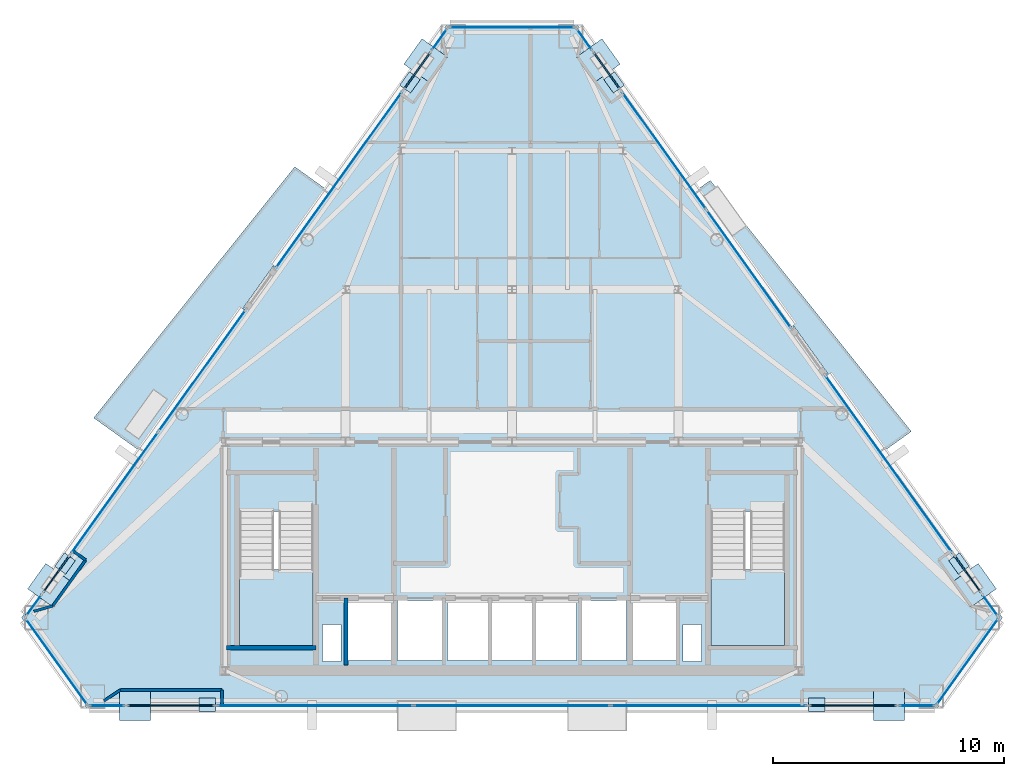
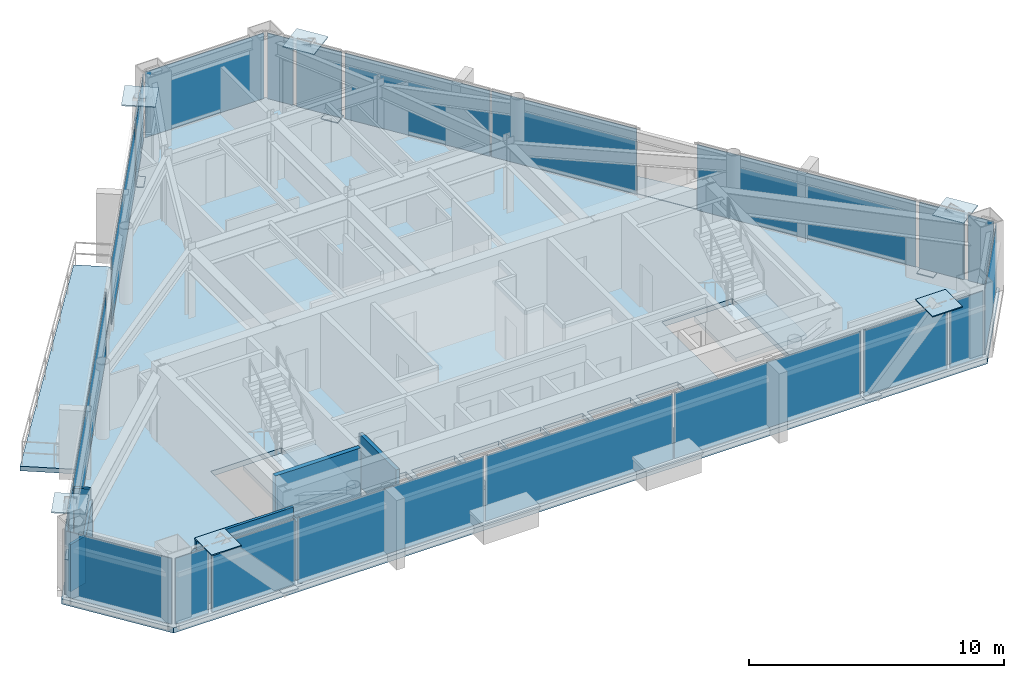
# One storey, part 6 of 11: 36 plates, 8 walls, 5 slabs, 22 elements without a shape of their own.
"""IFC4 building model written with IfcOpenShell, lengths in metres."""

from ifc_helpers import new_model, si_unit, direction, frame, frame_2d, origin, origin_2d, place, context, subcontext, project, spatial, polyline, rectangle, outline, extrude, source, transform, mapped, material, layer, layer_set, type_object, type_shapes, element, aggregate, save


model = new_model("IFC4")

# Units and contexts
model_context = context("Model", 3, precision=1e-05, world=origin(), true_north=direction((0.0, 1.0)))
body_context = subcontext(model_context, "Body", "Model", "MODEL_VIEW")
ifc_project = project(units=[si_unit("LENGTHUNIT", "METRE"), si_unit("AREAUNIT", "SQUARE_METRE"), si_unit("VOLUMEUNIT", "CUBIC_METRE"), si_unit("PLANEANGLEUNIT", "RADIAN"), si_unit("MASSUNIT", "GRAM", prefix="KILO")], contexts=[model_context])

# Site, building, storey
site_placement = place(None, origin())
site = spatial("IfcSite", under=ifc_project, at=site_placement, CompositionType="ELEMENT")
building_placement = place(site_placement, origin())
building = spatial("IfcBuilding", under=site, at=building_placement, Name="Talgorran Terracotta Tower", CompositionType="ELEMENT")
storey_placement = place(building_placement, frame((0.0, 0.0, 240.60009765625)))
storey = spatial("IfcBuildingStorey", under=building, at=storey_placement, Name="L63", CompositionType="ELEMENT", Elevation=240.60009765625)

# Plates
ifc_material_1 = material(Name="Steel Grade 350 (350L0)", Category="steel")
ifc_layer_1 = layer(ifc_material_1, 0.031982421875, Name="PL_CAP_MN07")
ifc_layer_set_1 = layer_set([ifc_layer_1], Name="Steel Grade 350 (350L0)")
plate_type_1 = type_object("IfcPlateType", Name="PL_CAP_MN07", PredefinedType="USERDEFINED", material=ifc_layer_set_1)
for number, where, z_axis, x_axis, name in (
    (1, (-13.19189453125, -15.56787109375, -0.005859375), (0.0, 0.0, 1.0), (-1.0, 0.0, 0.0), "L63 Diagonal Frame End Cap SWF Bot"),
    (2, (13.19189453125, -15.56787109375, -0.005859375), (0.0, 0.0, 1.0), (1.0, 0.0, 0.0), "L63 Diagonal Frame End Cap SEF Bot"),
    (3, (19.33935546875, -9.455078125, -0.005859375), (0.0, 0.0, 1.0), (0.582690479669, -0.812694164433, 0.0), "L63 Diagonal Frame End Cap NEL Bot"),
    (4, (4.414794921875, 11.361572265625, -0.005859375), (0.0, 0.0, 1.0), (-0.582690479669, 0.812694164433, 0.0), "L63 Diagonal Frame End Cap NEU Bot"),
    (5, (-4.414794921875, 11.361572265625, -0.005859375), (0.0, 0.0, 1.0), (0.582690479669, 0.812694164433, 0.0), "L63 Diagonal Frame End Cap NWU Bot"),
    (6, (-19.33935546875, -9.455078125, -0.005859375), (0.0, 0.0, 1.0), (-0.582690479669, -0.812694164433, 0.0), "L63 Diagonal Frame End Cap NWL Bot"),
):
    element("IfcPlate", number, at=place(storey_placement, frame(where, z_axis=z_axis, x_axis=x_axis)), inside=storey, type_object=plate_type_1, Name=name, ObjectType="CAP PLATE", PredefinedType="USERDEFINED", context=body_context, shape_type="SweptSolid", body=[
        extrude(rectangle(XDim=0.719970703125, YDim=0.580078125, at=origin_2d()), origin(), (0.0, 0.0, 1.0), 0.031982421875),
    ])
ifc_layer_2 = layer(ifc_material_1, 0.050048828125, Name="PL_NODE_MN03")
ifc_layer_set_2 = layer_set([ifc_layer_2], Name="Steel Grade 350 (350L0)")
plate_type_2 = type_object("IfcPlateType", Name="PL_NODE_MN03", PredefinedType="USERDEFINED", material=ifc_layer_set_2)
for number, where, z_axis, x_axis, name in (
    (7, (-16.306640625, -15.56787109375, 3.2451171875), (0.0, 0.0, 1.0), (-1.0, 0.0, 0.0), "L63 Diagonal Frame End Cap SWF Top"),
    (8, (16.306640625, -15.56787109375, 3.2451171875), (0.0, 0.0, 1.0), (1.0, 0.0, 0.0), "L63 Diagonal Frame End Cap SEF Top"),
    (9, (20.01611328125, -10.39892578125, 3.2451171875), (0.0, 0.0, 1.0), (0.582690479669, -0.812694164433, 0.0), "L63 Diagonal Frame End Cap NEL Top"),
    (10, (3.73828125, 12.305419921875, 3.2451171875), (0.0, 0.0, 1.0), (-0.582690479669, 0.812694164433, 0.0), "L63 Diagonal Frame End Cap NEU Top"),
    (11, (-3.73828125, 12.305419921875, 3.2451171875), (0.0, 0.0, 1.0), (0.582690479669, 0.812694164433, 0.0), "L63 Diagonal Frame End Cap NWU Top"),
    (12, (-20.01611328125, -10.39892578125, 3.2451171875), (0.0, 0.0, 1.0), (-0.582690479669, -0.812694164433, 0.0), "L63 Diagonal Frame End Cap NWL Top"),
):
    element("IfcPlate", number, at=place(storey_placement, frame(where, z_axis=z_axis, x_axis=x_axis)), inside=storey, type_object=plate_type_2, Name=name, ObjectType="NODE PLATE", PredefinedType="USERDEFINED", context=body_context, shape_type="SweptSolid", body=[
        extrude(rectangle(XDim=1.35009765625, YDim=1.35009765625, at=origin_2d()), origin(), (0.0, 0.0, 1.0), 0.050048828125),
    ])

# Slabs
ifc_material_2 = material(Name="Concrete C40/50", Category="concrete")
ifc_layer_3 = layer(ifc_material_2, 0.219970703125, Name="SL_BALCONY_220")
ifc_layer_set_3 = layer_set([ifc_layer_3], Name="Concrete C40/50")
slab_type_1 = type_object("IfcSlabType", Name="SL_BALCONY_220", PredefinedType="FLOOR", material=ifc_layer_set_3)
slab_1_placement = place(storey_placement, frame((0.0, 0.0, -0.22021484375)))
element("IfcSlab", 13, at=slab_1_placement, inside=storey, type_object=slab_type_1, Name="L63 Outdoor Wave Balcony BAL-NE", PredefinedType="FLOOR", context=body_context, shape_type="SweptSolid", body=[
    extrude(outline(polyline([(7.97998046875, 6.689697265625), (16.077880859375, -4.60546875), (17.27587890625, -3.74658203125), (8.576171875, 7.1171875), (7.97998046875, 6.689697265625)])), origin(), (0.0, 0.0, 1.0), 0.22021484375),
])
slab_2_placement = place(storey_placement, frame((0.0, 0.0, -0.22021484375)))
element("IfcSlab", 14, at=slab_2_placement, inside=storey, type_object=slab_type_1, Name="L63 Outdoor Wave Balcony BAL-NW", PredefinedType="FLOOR", context=body_context, shape_type="SweptSolid", body=[
    extrude(outline(polyline([(-16.077880859375, -4.60546875), (-7.97998046875, 6.689697265625), (-9.398681640625, 7.706787109375), (-18.098388671875, -3.15673828125), (-16.077880859375, -4.60546875)])), origin(), (0.0, 0.0, 1.0), 0.22021484375),
])

# Stair, slab
stair_type = type_object("IfcStairType", Name="ST_FIRE_SCISSOR", PredefinedType="HALF_TURN_STAIR", material=ifc_material_2)
stair_1_placement = place(storey_placement, origin())
stair_1 = element("IfcStair", 15, at=stair_1_placement, inside=storey, type_object=stair_type, Name="L63 West Protected Fire Stair ST-01", PredefinedType="HALF_TURN_STAIR")
ifc_layer_4 = layer(ifc_material_2, 0.199951171875, Name="SL_LANDING_200")
ifc_layer_set_4 = layer_set([ifc_layer_4], Name="Concrete C40/50")
slab_type_2 = type_object("IfcSlabType", Name="SL_LANDING_200", PredefinedType="LANDING", material=ifc_layer_set_4)
slab_3_placement = place(storey_placement, frame((0.0, 0.0, 1.599853515625)))
slab_3 = element("IfcSlab", 16, at=slab_3_placement, type_object=slab_type_2, Name="ST-01 landing 1", PredefinedType="LANDING", context=body_context, shape_type="SweptSolid", body=[
    extrude(outline(polyline([(-11.800048828125, -9.719970703125), (-11.800048828125, -13.0), (-8.60009765625, -13.0), (-8.60009765625, -9.719970703125), (-11.800048828125, -9.719970703125)])), origin(), (0.0, 0.0, 1.0), 0.199951171875),
])
aggregate(stair_1, [slab_3])

stair_2_placement = place(storey_placement, origin())
stair_2 = element("IfcStair", 17, at=stair_2_placement, inside=storey, type_object=stair_type, Name="L63 East Protected Fire Stair ST-02", PredefinedType="HALF_TURN_STAIR")
slab_4_placement = place(storey_placement, frame((0.0, 0.0, 1.599853515625)))
slab_4 = element("IfcSlab", 18, at=slab_4_placement, type_object=slab_type_2, Name="ST-02 landing 1", PredefinedType="LANDING", context=body_context, shape_type="SweptSolid", body=[
    extrude(outline(polyline([(8.60009765625, -9.719970703125), (8.60009765625, -13.0), (11.800048828125, -13.0), (11.800048828125, -9.719970703125), (8.60009765625, -9.719970703125)])), origin(), (0.0, 0.0, 1.0), 0.199951171875),
])
aggregate(stair_2, [slab_4])

# Slab
ifc_layer_5 = layer(ifc_material_2, 0.2548828125, Name="SL_TOWER_235")
ifc_layer_set_5 = layer_set([ifc_layer_5], Name="Concrete C40/50")
slab_type_3 = type_object("IfcSlabType", Name="SL_TOWER_235", PredefinedType="FLOOR", material=ifc_layer_set_5)
slab_5_placement = place(storey_placement, frame((0.0, 0.0, -0.255126953125)))
element("IfcSlab", 19, at=slab_5_placement, inside=storey, type_object=slab_type_3, Name="Storey L63 Structural Floor Slab", PredefinedType="FLOOR", context=body_context, shape_type="SweptSolid", body=[
    extrude(outline(polyline([(-21.21875, -11.802001953125), (-18.404296875, -15.727783203125), (18.404296875, -15.727783203125), (21.21875, -11.802001953125), (2.814453125, 13.86865234375), (-2.814453125, 13.86865234375), (-21.21875, -11.802001953125)]), holes=[polyline([(-11.800048828125, -7.199951171875), (-11.800048828125, -13.0), (-8.60009765625, -13.0), (-8.60009765625, -7.199951171875), (-11.800048828125, -7.199951171875)]), polyline([(8.60009765625, -7.199951171875), (8.60009765625, -13.0), (11.800048828125, -13.0), (11.800048828125, -7.199951171875), (8.60009765625, -7.199951171875)]), polyline([(-7.10009765625, -13.64990234375), (-5.199951171875, -13.64990234375), (-5.199951171875, -11.050048828125), (-7.10009765625, -11.050048828125), (-7.10009765625, -13.64990234375)]), polyline([(5.199951171875, -13.64990234375), (7.10009765625, -13.64990234375), (7.10009765625, -11.050048828125), (5.199951171875, -11.050048828125), (5.199951171875, -13.64990234375)]), polyline([(3.0, -13.64990234375), (4.949951171875, -13.64990234375), (4.949951171875, -11.050048828125), (3.0, -11.050048828125), (3.0, -13.64990234375)]), polyline([(-4.949951171875, -13.64990234375), (-3.0, -13.64990234375), (-3.0, -11.050048828125), (-4.949951171875, -11.050048828125), (-4.949951171875, -13.64990234375)]), polyline([(-2.800048828125, -13.64990234375), (-1.0, -13.64990234375), (-1.0, -11.050048828125), (-2.800048828125, -11.050048828125), (-2.800048828125, -13.64990234375)]), polyline([(-0.89990234375, -13.64990234375), (0.89990234375, -13.64990234375), (0.89990234375, -11.050048828125), (-0.89990234375, -11.050048828125), (-0.89990234375, -13.64990234375)]), polyline([(1.0, -13.64990234375), (2.800048828125, -13.64990234375), (2.800048828125, -11.050048828125), (1.0, -11.050048828125), (1.0, -13.64990234375)]), polyline([(-8.199951171875, -13.699951171875), (-7.39990234375, -13.699951171875), (-7.39990234375, -12.10009765625), (-8.199951171875, -12.10009765625), (-8.199951171875, -13.699951171875)]), polyline([(7.39990234375, -13.699951171875), (8.199951171875, -13.699951171875), (8.199951171875, -12.10009765625), (7.39990234375, -12.10009765625), (7.39990234375, -13.699951171875)])]), origin(), (0.0, 0.0, 1.0), 0.255126953125),
])

# Curtain wall, plate
ifc_material_3 = material(Name="High-Wind Unitised Glazing", Category="glass")
ifc_layer_6 = layer(ifc_material_3, 0.2099609375, Name="CW_SYS3_RES_HIGH")
ifc_layer_set_6 = layer_set([ifc_layer_6], Name="High-Wind Unitised Glazing")
curtain_wall_type = type_object("IfcCurtainWallType", Name="CW_SYS3_RES_HIGH", PredefinedType="NOTDEFINED", material=ifc_layer_set_6)
curtain_wall_1_placement = place(storey_placement, origin())
curtain_wall_1 = element("IfcCurtainWall", 20, at=curtain_wall_1_placement, inside=storey, type_object=curtain_wall_type, Name="CW-L63-F0", PredefinedType="NOTDEFINED")
ifc_material_4 = material(Name="High-Wind Acoustic Vision Glass", Category="glass")
ifc_layer_7 = layer(ifc_material_4, 0.031982421875, Name="PLT_VISION_32")
ifc_layer_set_7 = layer_set([ifc_layer_7], Name="High-Wind Acoustic Vision Glass")
plate_type_3 = type_object("IfcPlateType", Name="PLT_VISION_32", PredefinedType="CURTAIN_PANEL", material=ifc_layer_set_7)
shared_shape_1 = source(origin(), body_context, "Body", "SweptSolid", [
    extrude(rectangle(XDim=4.542724609375, YDim=0.031982421875, at=origin_2d()), origin(), (0.0, 0.0, 1.0), 3.139892578125),
])
plate_1_placement = place(storey_placement, frame((-19.706787109375, -13.704833984375, 0.06982421875), z_axis=(0.0, 0.0, 1.0), x_axis=(0.582661427396, -0.812714993724, 0.0)))
plate_1 = element("IfcPlate", 21, at=plate_1_placement, type_object=plate_type_3, Name="CW-L63-0 panel 1.1", PredefinedType="CURTAIN_PANEL", context=body_context, shape_type="MappedRepresentation", body=[
    mapped(shared_shape_1, transform((0.0, 0.0, 0.0), scale=1.0)),
])
aggregate(curtain_wall_1, [plate_1])

curtain_wall_2_placement = place(storey_placement, origin())
curtain_wall_2 = element("IfcCurtainWall", 22, at=curtain_wall_2_placement, inside=storey, type_object=curtain_wall_type, Name="CW-L63-F2", PredefinedType="NOTDEFINED")
plate_2_placement = place(storey_placement, frame((19.706787109375, -13.704833984375, 0.06982421875), z_axis=(0.0, 0.0, 1.0), x_axis=(0.582661427396, 0.812714993724, 0.0)))
plate_2 = element("IfcPlate", 23, at=plate_2_placement, type_object=plate_type_3, Name="CW-L63-2 panel 1.1", PredefinedType="CURTAIN_PANEL", context=body_context, shape_type="MappedRepresentation", body=[
    mapped(shared_shape_1, transform((0.0, 0.0, 0.0), scale=1.0)),
])
aggregate(curtain_wall_2, [plate_2])

curtain_wall_3_placement = place(storey_placement, origin())
curtain_wall_3 = element("IfcCurtainWall", 24, at=curtain_wall_3_placement, inside=storey, type_object=curtain_wall_type, Name="CW-L63-F1", PredefinedType="NOTDEFINED")
shared_shape_2 = source(origin(), body_context, "Body", "SweptSolid", [
    extrude(rectangle(XDim=1.5, YDim=0.031982421875, at=origin_2d()), origin(), (0.0, 0.0, 1.0), 3.139892578125),
])
plate_3_placement = place(storey_placement, frame((-17.522705078125, -15.60791015625, 0.06982421875), z_axis=(0.0, 0.0, 1.0), x_axis=(1.0, 0.0, 0.0)))
plate_3 = element("IfcPlate", 25, at=plate_3_placement, type_object=plate_type_3, Name="CW-L63-1 panel 1.1", PredefinedType="CURTAIN_PANEL", context=body_context, shape_type="MappedRepresentation", body=[
    mapped(shared_shape_2, transform((0.0, 0.0, 0.0), scale=1.0)),
])
aggregate(curtain_wall_3, [plate_3])

curtain_wall_4_placement = place(storey_placement, origin())
curtain_wall_4 = element("IfcCurtainWall", 26, at=curtain_wall_4_placement, inside=storey, type_object=curtain_wall_type, Name="CW-L63-F1E", PredefinedType="NOTDEFINED")
plate_4_placement = place(storey_placement, frame((17.522705078125, -15.60791015625, 0.06982421875), z_axis=(0.0, 0.0, 1.0), x_axis=(1.0, 0.0, 0.0)))
plate_4 = element("IfcPlate", 27, at=plate_4_placement, type_object=plate_type_3, Name="CW-L63-1E panel 1.1", PredefinedType="CURTAIN_PANEL", context=body_context, shape_type="MappedRepresentation", body=[
    mapped(shared_shape_2, transform((0.0, 0.0, 0.0), scale=1.0)),
])
aggregate(curtain_wall_4, [plate_4])

curtain_wall_5_placement = place(storey_placement, origin())
curtain_wall_5 = element("IfcCurtainWall", 28, at=curtain_wall_5_placement, inside=storey, type_object=curtain_wall_type, Name="CW-L63-F1B", PredefinedType="NOTDEFINED")
ifc_material_5 = material(Name="Terracotta Insulated Spandrel", Category="masonry")
ifc_layer_8 = layer(ifc_material_5, 0.06494140625, Name="PLT_SPANDREL_TERRA")
ifc_layer_set_8 = layer_set([ifc_layer_8], Name="Terracotta Insulated Spandrel")
plate_type_4 = type_object("IfcPlateType", Name="PLT_SPANDREL_TERRA", PredefinedType="SHEET", material=ifc_layer_set_8)
shared_shape_3 = source(origin(), body_context, "Body", "SweptSolid", [
    extrude(rectangle(XDim=3.746826171875, YDim=0.06494140625, at=origin_2d()), origin(), (0.0, 0.0, 1.0), 3.139892578125),
])
plate_5_placement = place(storey_placement, frame((-14.749267578125, -15.60791015625, 0.06982421875), z_axis=(0.0, 0.0, 1.0), x_axis=(1.0, 0.0, 0.0)))
plate_5 = element("IfcPlate", 29, at=plate_5_placement, type_object=plate_type_4, Name="CW-L63-1B panel 1.1", PredefinedType="CURTAIN_PANEL", context=body_context, shape_type="MappedRepresentation", body=[
    mapped(shared_shape_3, transform((0.0, 0.0, 0.0), scale=1.0)),
])
aggregate(curtain_wall_5, [plate_5])

curtain_wall_6_placement = place(storey_placement, origin())
curtain_wall_6 = element("IfcCurtainWall", 30, at=curtain_wall_6_placement, inside=storey, type_object=curtain_wall_type, Name="CW-L63-F1D", PredefinedType="NOTDEFINED")
plate_6_placement = place(storey_placement, frame((14.749267578125, -15.60791015625, 0.06982421875), z_axis=(0.0, 0.0, 1.0), x_axis=(1.0, 0.0, 0.0)))
plate_6 = element("IfcPlate", 31, at=plate_6_placement, type_object=plate_type_4, Name="CW-L63-1D panel 1.1", PredefinedType="CURTAIN_PANEL", context=body_context, shape_type="MappedRepresentation", body=[
    mapped(shared_shape_3, transform((0.0, 0.0, 0.0), scale=1.0)),
])
aggregate(curtain_wall_6, [plate_6])

# Curtain wall, plates
curtain_wall_7_placement = place(storey_placement, origin())
curtain_wall_7 = element("IfcCurtainWall", 32, at=curtain_wall_7_placement, inside=storey, type_object=curtain_wall_type, Name="CW-L63-F1C", PredefinedType="NOTDEFINED")
shared_shape_4 = source(origin(), body_context, "Body", "SweptSolid", [
    extrude(rectangle(XDim=8.425537109375, YDim=0.031982421875, at=origin_2d()), origin(), (0.0, 0.0, 1.0), 3.139892578125),
])
plate_7_placement = place(storey_placement, frame((-8.512939453125, -15.60791015625, 0.06982421875), z_axis=(0.0, 0.0, 1.0), x_axis=(1.0, 0.0, 0.0)))
plate_7 = element("IfcPlate", 33, at=plate_7_placement, type_object=plate_type_3, Name="CW-L63-1C panel 1.1", PredefinedType="CURTAIN_PANEL", context=body_context, shape_type="MappedRepresentation", body=[
    mapped(shared_shape_4, transform((0.0, 0.0, 0.0), scale=1.0)),
])
plate_8_placement = place(storey_placement, frame((8.512939453125, -15.60791015625, 0.06982421875), z_axis=(0.0, 0.0, 1.0), x_axis=(1.0, 0.0, 0.0)))
plate_8 = element("IfcPlate", 34, at=plate_8_placement, type_object=plate_type_3, Name="CW-L63-1C panel 3.1", PredefinedType="CURTAIN_PANEL", context=body_context, shape_type="MappedRepresentation", body=[
    mapped(shared_shape_4, transform((0.0, 0.0, 0.0), scale=1.0)),
])
shared_shape_5 = source(origin(), body_context, "Body", "SweptSolid", [
    extrude(rectangle(XDim=8.46044921875, YDim=0.031982421875, at=origin_2d()), origin(), (0.0, 0.0, 1.0), 3.139892578125),
])
plate_9_placement = place(storey_placement, frame((0.0, -15.60791015625, 0.06982421875), z_axis=(0.0, 0.0, 1.0), x_axis=(1.0, 0.0, 0.0)))
plate_9 = element("IfcPlate", 35, at=plate_9_placement, type_object=plate_type_3, Name="CW-L63-1C panel 2.1", PredefinedType="CURTAIN_PANEL", context=body_context, shape_type="MappedRepresentation", body=[
    mapped(shared_shape_5, transform((0.0, 0.0, 0.0), scale=1.0)),
])
aggregate(curtain_wall_7, [plate_7, plate_9, plate_8])

# Curtain wall, plate
curtain_wall_8_placement = place(storey_placement, origin())
curtain_wall_8 = element("IfcCurtainWall", 36, at=curtain_wall_8_placement, inside=storey, type_object=curtain_wall_type, Name="CW-L63-F40", PredefinedType="NOTDEFINED")
shared_shape_6 = source(origin(), body_context, "Body", "SweptSolid", [
    extrude(rectangle(XDim=1.108642578125, YDim=0.031982421875, at=origin_2d()), origin(), (0.0, 0.0, 1.0), 3.139892578125),
])
plate_10_placement = place(storey_placement, frame((20.68408203125, -11.26220703125, 0.06982421875), z_axis=(0.0, 0.0, 1.0), x_axis=(-0.582676794113, 0.812703976613, 0.0)))
plate_10 = element("IfcPlate", 37, at=plate_10_placement, type_object=plate_type_3, Name="CW-L63-40 panel 1.1", PredefinedType="CURTAIN_PANEL", context=body_context, shape_type="MappedRepresentation", body=[
    mapped(shared_shape_6, transform((0.0, 0.0, 0.0), scale=1.0)),
])
aggregate(curtain_wall_8, [plate_10])

curtain_wall_9_placement = place(storey_placement, origin())
curtain_wall_9 = element("IfcCurtainWall", 38, at=curtain_wall_9_placement, inside=storey, type_object=curtain_wall_type, Name="CW-L63-F61C", PredefinedType="NOTDEFINED")
plate_11_placement = place(storey_placement, frame((-20.68408203125, -11.26220703125, 0.06982421875), z_axis=(0.0, 0.0, 1.0), x_axis=(-0.582676794113, -0.812703976613, 0.0)))
plate_11 = element("IfcPlate", 39, at=plate_11_placement, type_object=plate_type_3, Name="CW-L63-61C panel 1.1", PredefinedType="CURTAIN_PANEL", context=body_context, shape_type="MappedRepresentation", body=[
    mapped(shared_shape_6, transform((0.0, 0.0, 0.0), scale=1.0)),
])
aggregate(curtain_wall_9, [plate_11])

curtain_wall_10_placement = place(storey_placement, origin())
curtain_wall_10 = element("IfcCurtainWall", 40, at=curtain_wall_10_placement, inside=storey, type_object=curtain_wall_type, Name="CW-L63-F40B", PredefinedType="NOTDEFINED")
shared_shape_7 = source(origin(), body_context, "Body", "SweptSolid", [
    extrude(rectangle(XDim=1.9345703125, YDim=0.06494140625, at=origin_2d()), origin(), (0.0, 0.0, 1.0), 3.139892578125),
])
type_shapes(plate_type_4, [shared_shape_3, shared_shape_7])
plate_12_placement = place(storey_placement, frame((19.710205078125, -9.903564453125, 0.06982421875), z_axis=(0.0, 0.0, 1.0), x_axis=(-0.582655336519, 0.812719360435, 0.0)))
plate_12 = element("IfcPlate", 41, at=plate_12_placement, type_object=plate_type_4, Name="CW-L63-40B panel 1.1", PredefinedType="CURTAIN_PANEL", context=body_context, shape_type="MappedRepresentation", body=[
    mapped(shared_shape_7, transform((0.0, 0.0, 0.0), scale=1.0)),
])
aggregate(curtain_wall_10, [plate_12])

curtain_wall_11_placement = place(storey_placement, origin())
curtain_wall_11 = element("IfcCurtainWall", 42, at=curtain_wall_11_placement, inside=storey, type_object=curtain_wall_type, Name="CW-L63-F41B", PredefinedType="NOTDEFINED")
plate_13_placement = place(storey_placement, frame((4.109130859375, 11.85693359375, 0.06982421875), z_axis=(0.0, 0.0, 1.0), x_axis=(-0.582678162123, 0.812702995802, 0.0)))
plate_13 = element("IfcPlate", 43, at=plate_13_placement, type_object=plate_type_4, Name="CW-L63-41B panel 1.1", PredefinedType="CURTAIN_PANEL", context=body_context, shape_type="MappedRepresentation", body=[
    mapped(shared_shape_7, transform((0.0, 0.0, 0.0), scale=1.0)),
])
aggregate(curtain_wall_11, [plate_13])

curtain_wall_12_placement = place(storey_placement, origin())
curtain_wall_12 = element("IfcCurtainWall", 44, at=curtain_wall_12_placement, inside=storey, type_object=curtain_wall_type, Name="CW-L63-F60B", PredefinedType="NOTDEFINED")
plate_14_placement = place(storey_placement, frame((-4.109130859375, 11.85693359375, 0.06982421875), z_axis=(0.0, 0.0, 1.0), x_axis=(-0.582678162123, -0.812702995802, 0.0)))
plate_14 = element("IfcPlate", 45, at=plate_14_placement, type_object=plate_type_4, Name="CW-L63-60B panel 1.1", PredefinedType="CURTAIN_PANEL", context=body_context, shape_type="MappedRepresentation", body=[
    mapped(shared_shape_7, transform((0.0, 0.0, 0.0), scale=1.0)),
])
aggregate(curtain_wall_12, [plate_14])

curtain_wall_13_placement = place(storey_placement, origin())
curtain_wall_13 = element("IfcCurtainWall", 46, at=curtain_wall_13_placement, inside=storey, type_object=curtain_wall_type, Name="CW-L63-F61B", PredefinedType="NOTDEFINED")
plate_15_placement = place(storey_placement, frame((-19.710205078125, -9.903564453125, 0.06982421875), z_axis=(0.0, 0.0, 1.0), x_axis=(-0.582655336519, -0.812719360435, 0.0)))
plate_15 = element("IfcPlate", 47, at=plate_15_placement, type_object=plate_type_4, Name="CW-L63-61B panel 1.1", PredefinedType="CURTAIN_PANEL", context=body_context, shape_type="MappedRepresentation", body=[
    mapped(shared_shape_7, transform((0.0, 0.0, 0.0), scale=1.0)),
])
aggregate(curtain_wall_13, [plate_15])

curtain_wall_14_placement = place(storey_placement, origin())
curtain_wall_14 = element("IfcCurtainWall", 48, at=curtain_wall_14_placement, inside=storey, type_object=curtain_wall_type, Name="CW-L63-F40C", PredefinedType="NOTDEFINED")
shared_shape_8 = source(origin(), body_context, "Body", "SweptSolid", [
    extrude(rectangle(XDim=9.405517578125, YDim=0.031982421875, at=origin_2d()), origin(), (0.0, 0.0, 1.0), 3.139892578125),
])
plate_16_placement = place(storey_placement, frame((16.319091796875, -5.173583984375, 0.06982421875), z_axis=(0.0, 0.0, 1.0), x_axis=(-0.582665318085, 0.812712204351, 0.0)))
plate_16 = element("IfcPlate", 49, at=plate_16_placement, type_object=plate_type_3, Name="CW-L63-40C panel 1.1", PredefinedType="CURTAIN_PANEL", context=body_context, shape_type="MappedRepresentation", body=[
    mapped(shared_shape_8, transform((0.0, 0.0, 0.0), scale=1.0)),
])
aggregate(curtain_wall_14, [plate_16])

# Curtain wall, plates
curtain_wall_15_placement = place(storey_placement, origin())
curtain_wall_15 = element("IfcCurtainWall", 50, at=curtain_wall_15_placement, inside=storey, type_object=curtain_wall_type, Name="CW-L63-F41", PredefinedType="NOTDEFINED")
shared_shape_9 = source(origin(), body_context, "Body", "SweptSolid", [
    extrude(rectangle(XDim=6.232666015625, YDim=0.031982421875, at=origin_2d()), origin(), (0.0, 0.0, 1.0), 3.139892578125),
])
plate_17_placement = place(storey_placement, frame((10.248291015625, 3.2939453125, 0.06982421875), z_axis=(0.0, 0.0, 1.0), x_axis=(-0.582661227763, 0.812715136848, 0.0)))
plate_17 = element("IfcPlate", 51, at=plate_17_placement, type_object=plate_type_3, Name="CW-L63-41 panel 1.1", PredefinedType="CURTAIN_PANEL", context=body_context, shape_type="MappedRepresentation", body=[
    mapped(shared_shape_9, transform((0.0, 0.0, 0.0), scale=1.0)),
])
plate_18_placement = place(storey_placement, frame((6.575927734375, 8.416259765625, 0.06982421875), z_axis=(0.0, 0.0, 1.0), x_axis=(-0.582661227763, 0.812715136848, 0.0)))
plate_18 = element("IfcPlate", 52, at=plate_18_placement, type_object=plate_type_3, Name="CW-L63-41 panel 2.1", PredefinedType="CURTAIN_PANEL", context=body_context, shape_type="MappedRepresentation", body=[
    mapped(shared_shape_9, transform((0.0, 0.0, 0.0), scale=1.0)),
])
aggregate(curtain_wall_15, [plate_17, plate_18])

# Curtain wall, plate
curtain_wall_16_placement = place(storey_placement, origin())
curtain_wall_16 = element("IfcCurtainWall", 53, at=curtain_wall_16_placement, inside=storey, type_object=curtain_wall_type, Name="CW-L63-F41C", PredefinedType="NOTDEFINED")
shared_shape_10 = source(origin(), body_context, "Body", "SweptSolid", [
    extrude(rectangle(XDim=1.100341796875, YDim=0.031982421875, at=origin_2d()), origin(), (0.0, 0.0, 1.0), 3.139892578125),
])
plate_19_placement = place(storey_placement, frame((3.137451171875, 13.212158203125, 0.06982421875), z_axis=(0.0, 0.0, 1.0), x_axis=(-0.582678730645, 0.812702588192, 0.0)))
plate_19 = element("IfcPlate", 54, at=plate_19_placement, type_object=plate_type_3, Name="CW-L63-41C panel 1.1", PredefinedType="CURTAIN_PANEL", context=body_context, shape_type="MappedRepresentation", body=[
    mapped(shared_shape_10, transform((0.0, 0.0, 0.0), scale=1.0)),
])
aggregate(curtain_wall_16, [plate_19])

curtain_wall_17_placement = place(storey_placement, origin())
curtain_wall_17 = element("IfcCurtainWall", 55, at=curtain_wall_17_placement, inside=storey, type_object=curtain_wall_type, Name="CW-L63-F60", PredefinedType="NOTDEFINED")
plate_20_placement = place(storey_placement, frame((-3.137451171875, 13.212158203125, 0.06982421875), z_axis=(0.0, 0.0, 1.0), x_axis=(-0.582678730645, -0.812702588192, 0.0)))
plate_20 = element("IfcPlate", 56, at=plate_20_placement, type_object=plate_type_3, Name="CW-L63-60 panel 1.1", PredefinedType="CURTAIN_PANEL", context=body_context, shape_type="MappedRepresentation", body=[
    mapped(shared_shape_10, transform((0.0, 0.0, 0.0), scale=1.0)),
])
aggregate(curtain_wall_17, [plate_20])

curtain_wall_18_placement = place(storey_placement, origin())
curtain_wall_18 = element("IfcCurtainWall", 57, at=curtain_wall_18_placement, inside=storey, type_object=curtain_wall_type, Name="CW-L63-F4", PredefinedType="NOTDEFINED")
shared_shape_11 = source(origin(), body_context, "Body", "SweptSolid", [
    extrude(rectangle(XDim=5.36572265625, YDim=0.031982421875, at=origin_2d()), origin(), (0.0, 0.0, 1.0), 3.139892578125),
])
plate_21_placement = place(storey_placement, frame((0.0, 13.74853515625, 0.06982421875), z_axis=(0.0, 0.0, 1.0), x_axis=(-1.0, 0.0, 0.0)))
plate_21 = element("IfcPlate", 58, at=plate_21_placement, type_object=plate_type_3, Name="CW-L63-4 panel 1.1", PredefinedType="CURTAIN_PANEL", context=body_context, shape_type="MappedRepresentation", body=[
    mapped(shared_shape_11, transform((0.0, 0.0, 0.0), scale=1.0)),
])
aggregate(curtain_wall_18, [plate_21])

curtain_wall_19_placement = place(storey_placement, origin())
curtain_wall_19 = element("IfcCurtainWall", 59, at=curtain_wall_19_placement, inside=storey, type_object=curtain_wall_type, Name="CW-L63-F60C", PredefinedType="NOTDEFINED")
shared_shape_12 = source(origin(), body_context, "Body", "SweptSolid", [
    extrude(rectangle(XDim=9.340087890625, YDim=0.031982421875, at=origin_2d()), origin(), (0.0, 0.0, 1.0), 3.139892578125),
])
plate_22_placement = place(storey_placement, frame((-7.481201171875, 7.153564453125, 0.06982421875), z_axis=(0.0, 0.0, 1.0), x_axis=(-0.582663191457, -0.81271372901, 0.0)))
plate_22 = element("IfcPlate", 60, at=plate_22_placement, type_object=plate_type_3, Name="CW-L63-60C panel 1.1", PredefinedType="CURTAIN_PANEL", context=body_context, shape_type="MappedRepresentation", body=[
    mapped(shared_shape_12, transform((0.0, 0.0, 0.0), scale=1.0)),
])
aggregate(curtain_wall_19, [plate_22])

# Curtain wall, plates
curtain_wall_20_placement = place(storey_placement, origin())
curtain_wall_20 = element("IfcCurtainWall", 61, at=curtain_wall_20_placement, inside=storey, type_object=curtain_wall_type, Name="CW-L63-F61", PredefinedType="NOTDEFINED")
shared_shape_13 = source(origin(), body_context, "Body", "SweptSolid", [
    extrude(rectangle(XDim=6.415283203125, YDim=0.031982421875, at=origin_2d()), origin(), (0.0, 0.0, 1.0), 3.139892578125),
])
type_shapes(plate_type_3, [shared_shape_1, shared_shape_2, shared_shape_4, shared_shape_5, shared_shape_6, shared_shape_8, shared_shape_9, shared_shape_10, shared_shape_11, shared_shape_12, shared_shape_13])
plate_23_placement = place(storey_placement, frame((-13.411376953125, -1.1181640625, 0.06982421875), z_axis=(0.0, 0.0, 1.0), x_axis=(-0.582667036182, -0.812710972577, 0.0)))
plate_23 = element("IfcPlate", 62, at=plate_23_placement, type_object=plate_type_3, Name="CW-L63-61 panel 1.1", PredefinedType="CURTAIN_PANEL", context=body_context, shape_type="MappedRepresentation", body=[
    mapped(shared_shape_13, transform((0.0, 0.0, 0.0), scale=1.0)),
])
plate_24_placement = place(storey_placement, frame((-17.190185546875, -6.388671875, 0.06982421875), z_axis=(0.0, 0.0, 1.0), x_axis=(-0.582667036182, -0.812710972577, 0.0)))
plate_24 = element("IfcPlate", 63, at=plate_24_placement, type_object=plate_type_3, Name="CW-L63-61 panel 2.1", PredefinedType="CURTAIN_PANEL", context=body_context, shape_type="MappedRepresentation", body=[
    mapped(shared_shape_13, transform((0.0, 0.0, 0.0), scale=1.0)),
])
aggregate(curtain_wall_20, [plate_23, plate_24])

# Walls
ifc_material_6 = material(Name="Concrete C50/60", Category="concrete")
ifc_layer_9 = layer(ifc_material_6, 0.199951171875, Name="WT_CORE_200")
ifc_layer_set_9 = layer_set([ifc_layer_9], Name="Concrete C50/60")
wall_type_1 = type_object("IfcWallType", Name="WT_CORE_200", PredefinedType="SOLIDWALL", material=ifc_layer_set_9)
wall_1_placement = place(storey_placement, frame((-12.35009765625, -13.10009765625, 0.0), z_axis=(0.0, 0.0, 1.0), x_axis=(1.0, 0.0, 0.0)))
element("IfcWall", 64, at=wall_1_placement, inside=storey, type_object=wall_type_1, Name="WL-L63-CW-ST1-S", PredefinedType="SOLIDWALL", context=body_context, shape_type="SweptSolid", body=[
    extrude(rectangle(XDim=3.8701171875, YDim=0.199951171875, at=frame_2d((1.93505859375, 0.0))), origin(), (0.0, 0.0, 1.0), 3.599853515625),
])
ifc_material_7 = material(Name="Insulated Steel Stud Plasterboard", Category="steel")
ifc_layer_10 = layer(ifc_material_7, 0.1201171875, Name="WT_PART_120")
ifc_layer_set_10 = layer_set([ifc_layer_10], Name="Insulated Steel Stud Plasterboard")
wall_type_2 = type_object("IfcWallType", Name="WT_PART_120", PredefinedType="PARTITIONING", material=ifc_layer_set_10)
wall_2_placement = place(storey_placement, frame((-16.946533203125, -14.927734375, 0.0), z_axis=(0.0, 0.0, 1.0), x_axis=(1.0, 0.0, 0.0)))
element("IfcWall", 65, at=wall_2_placement, inside=storey, type_object=wall_type_2, Name="WL-L63-BW-L63-01", PredefinedType="PARTITIONING", context=body_context, shape_type="SweptSolid", body=[
    extrude(rectangle(XDim=4.394775390625, YDim=0.1201171875, at=frame_2d((2.197265625, 0.0))), origin(), (0.0, 0.0, 1.0), 3.27978515625),
])
wall_3_placement = place(storey_placement, frame((-18.4462890625, -9.307861328125, 0.0), z_axis=(0.0, 0.0, 1.0), x_axis=(-0.58269400411, -0.812691637446, 0.0)))
element("IfcWall", 66, at=wall_3_placement, inside=storey, type_object=wall_type_2, Name="WL-L63-BW-L63-08", PredefinedType="PARTITIONING", context=body_context, shape_type="SweptSolid", body=[
    extrude(rectangle(XDim=2.44140625, YDim=0.1201171875, at=frame_2d((1.220703125, 0.0))), origin(), (0.0, 0.0, 1.0), 2.2548828125),
])
wall_4_placement = place(storey_placement, frame((-17.657470703125, -15.40283203125, 0.0), z_axis=(0.0, 0.0, 1.0), x_axis=(0.831434816422, 0.555622305205, 0.0)))
element("IfcWall", 67, at=wall_4_placement, inside=storey, type_object=wall_type_2, Name="WL-L63-BW-L63-03", PredefinedType="PARTITIONING", context=body_context, shape_type="SweptSolid", body=[
    extrude(rectangle(XDim=0.85498046875, YDim=0.1201171875, at=frame_2d((0.427490234375, 0.0))), origin(), (0.0, 0.0, 1.0), 2.7978515625),
])
wall_5_placement = place(storey_placement, frame((-19.868896484375, -11.2919921875, 0.0), z_axis=(0.0, 0.0, 1.0), x_axis=(-0.961480716813, -0.274872390751, 0.0)))
element("IfcWall", 68, at=wall_5_placement, inside=storey, type_object=wall_type_2, Name="WL-L63-BW-L63-09", PredefinedType="PARTITIONING", context=body_context, shape_type="SweptSolid", body=[
    extrude(rectangle(XDim=0.852783203125, YDim=0.1201171875, at=frame_2d((0.42626953125, 0.0))), origin(), (0.0, 0.0, 1.0), 2.2548828125),
])
wall_6_placement = place(storey_placement, frame((-12.5517578125, -14.927734375, 0.0), z_axis=(0.0, 0.0, 1.0), x_axis=(0.0, -1.0, 0.0)))
element("IfcWall", 69, at=wall_6_placement, inside=storey, type_object=wall_type_2, Name="WL-L63-BW-L63-02", PredefinedType="PARTITIONING", context=body_context, shape_type="SweptSolid", body=[
    extrude(rectangle(XDim=0.670166015625, YDim=0.1201171875, at=frame_2d((0.3349609375, 0.0))), origin(), (0.0, 0.0, 1.0), 2.7978515625),
])
wall_7_placement = place(storey_placement, frame((-18.99072265625, -8.91748046875, 0.0), z_axis=(0.0, 0.0, 1.0), x_axis=(0.812673311452, -0.582719562786, 0.0)))
element("IfcWall", 70, at=wall_7_placement, inside=storey, type_object=wall_type_2, Name="WL-L63-BW-L63-07", PredefinedType="PARTITIONING", context=body_context, shape_type="SweptSolid", body=[
    extrude(rectangle(XDim=0.669921875, YDim=0.1201171875, at=frame_2d((0.3349609375, 0.0))), origin(), (0.0, 0.0, 1.0), 2.7978515625),
])
ifc_material_8 = material(Name="Fire-Rated Shaftwall")
ifc_layer_11 = layer(ifc_material_8, 0.159912109375, Name="WT_PART_150")
ifc_layer_set_11 = layer_set([ifc_layer_11], Name="Fire-Rated Shaftwall")
wall_type_3 = type_object("IfcWallType", Name="WT_PART_150", PredefinedType="PARTITIONING", material=ifc_layer_set_11)
wall_8_placement = place(storey_placement, frame((-7.179931640625, -13.85009765625, 0.0), z_axis=(0.0, 0.0, 1.0), x_axis=(0.0, 1.0, 0.0)))
element("IfcWall", 71, at=wall_8_placement, inside=storey, type_object=wall_type_3, Name="WL-L63-CW-RSW", PredefinedType="PARTITIONING", context=body_context, shape_type="SweptSolid", body=[
    extrude(rectangle(XDim=2.900146484375, YDim=0.159912109375, at=frame_2d((1.4501953125, 0.0))), origin(), (0.0, 0.0, 1.0), 2.5048828125),
])

save(model, "model.ifc")
